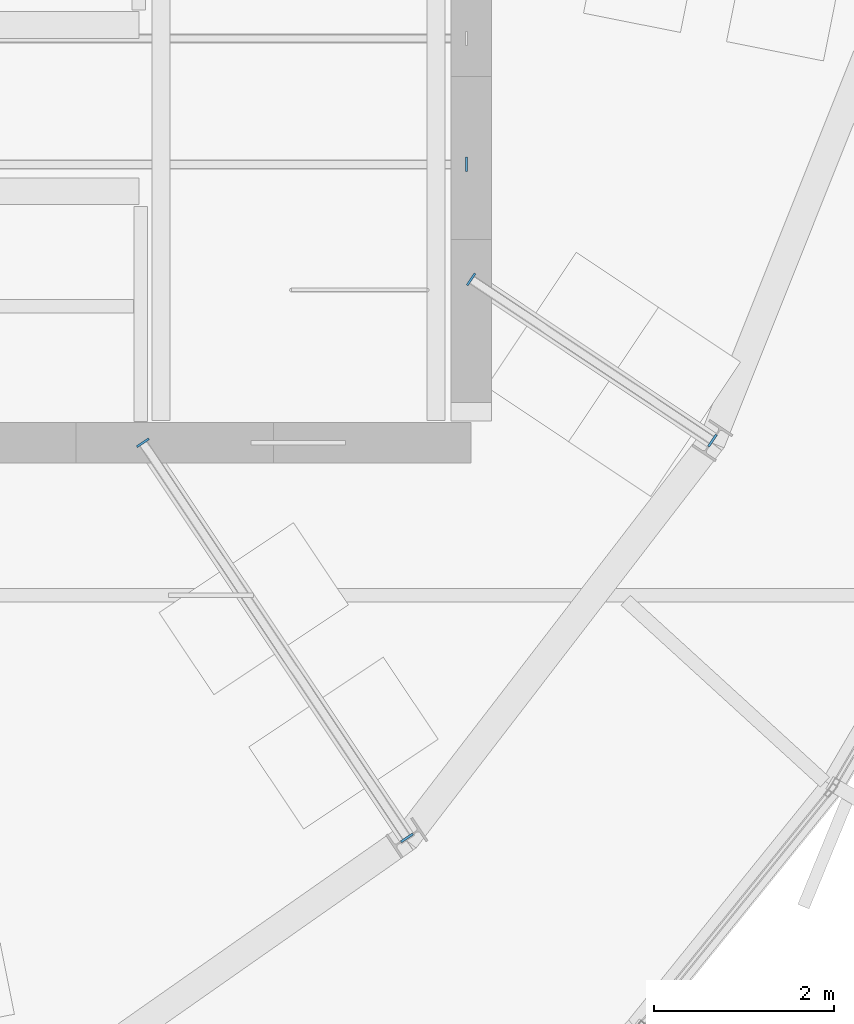
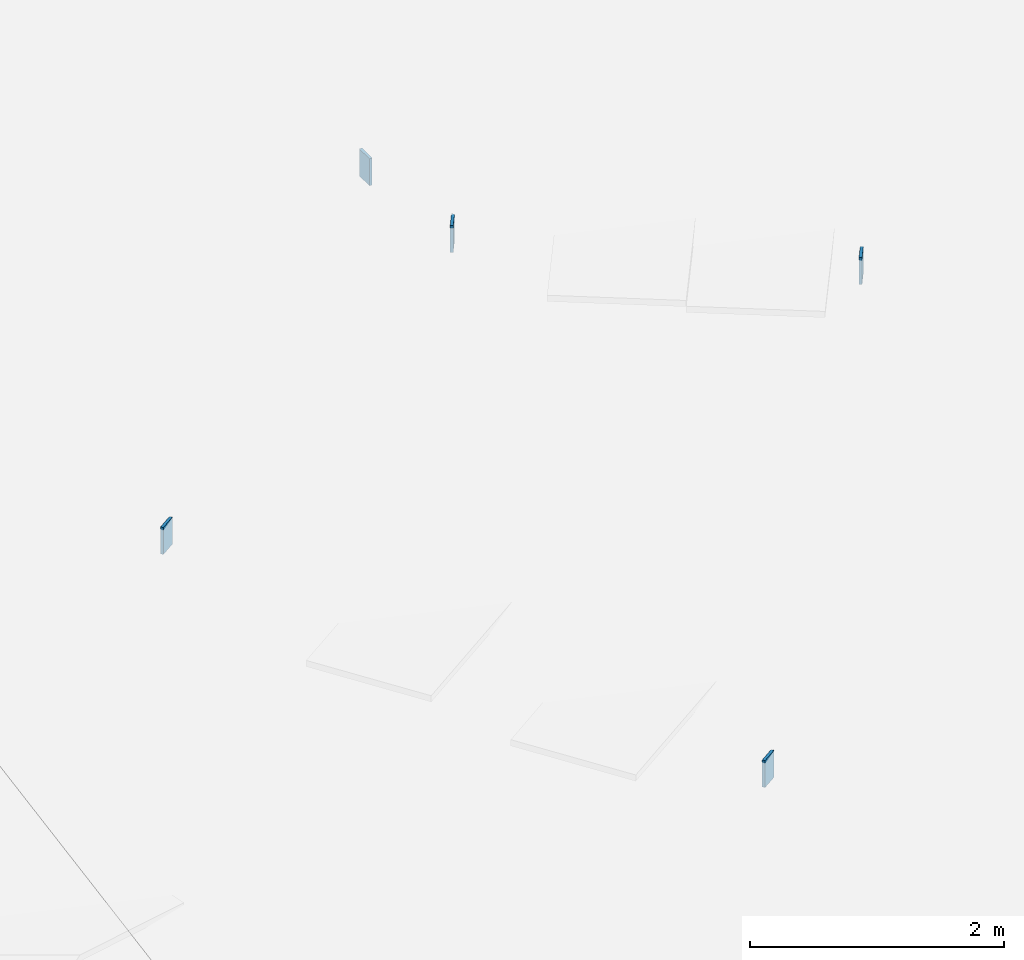
# One storey, part 27 of 36: 5 plates.
"""IFC4 building model written with IfcOpenShell, lengths in metres."""

from ifc_helpers import new_model, si_unit, direction, frame, origin, origin_2d, place, context, subcontext, project, spatial, rectangle, extrude, source, transform, mapped, material, layer, layer_set, type_object, element, save


model = new_model("IFC4")

# Units and contexts
model_context = context("Model", 3, precision=1e-05, world=origin(), true_north=direction((0.0, 1.0)))
body_context = subcontext(model_context, "Body", "Model", "MODEL_VIEW")
ifc_project = project(units=[si_unit("LENGTHUNIT", "METRE"), si_unit("AREAUNIT", "SQUARE_METRE"), si_unit("VOLUMEUNIT", "CUBIC_METRE"), si_unit("PLANEANGLEUNIT", "RADIAN"), si_unit("MASSUNIT", "GRAM", prefix="KILO"), si_unit("THERMODYNAMICTEMPERATUREUNIT", "KELVIN")], contexts=[model_context])

# Site, building, storey
site_placement = place(None, origin())
site = spatial("IfcSite", under=ifc_project, at=site_placement, CompositionType="ELEMENT")
building_placement = place(site_placement, origin())
building = spatial("IfcBuilding", under=site, at=building_placement, Name="Kethvar Cultural Tower", CompositionType="ELEMENT")
storey_placement = place(building_placement, frame((0.0, 0.0, 324.300048828125)))
storey = spatial("IfcBuildingStorey", under=building, at=storey_placement, Name="L86", CompositionType="ELEMENT", Elevation=324.300048828125)

# Plates
ifc_material = material(Name="Steel S355J2", Category="steel")
ifc_layer_1 = layer(ifc_material, 0.02490234375, Name="Steel S355J2", Category="steel")
ifc_layer_set_1 = layer_set([ifc_layer_1], Name="Steel S355J2 (25 mm)")
plate_type_1 = type_object("IfcPlateType", Name="PL-ENDCAP-PUR", PredefinedType="SHEET", material=ifc_layer_set_1)
shared_shape_1 = source(origin(), body_context, "Body", "SweptSolid", [
    extrude(rectangle(XDim=0.02490234375, YDim=0.159912109375, at=origin_2d()), origin(), (0.0, 0.0, 1.0), 0.260009765625),
])
plate_placement = place(storey_placement, frame((55.550048828125, 23.199951171875, 7.146484375), z_axis=(0.0, 0.0, 1.0), x_axis=(1.0, 0.0, 0.0)))
element("IfcPlate", 1, at=plate_placement, inside=storey, type_object=plate_type_1, Name="Crown Purlin End Cap PR-07-E", PredefinedType="SHEET", context=body_context, shape_type="MappedRepresentation", body=[
    mapped(shared_shape_1, transform((0.0, 0.0, 0.0), scale=1.0)),
])
ifc_layer_2 = layer(ifc_material, 0.02490234375, Name="Steel S355J2", Category="steel")
ifc_layer_set_2 = layer_set([ifc_layer_2], Name="Steel S355J2 (25 mm)")
plate_type_2 = type_object("IfcPlateType", Name="PL-EXTCAP-PUR", PredefinedType="SHEET", material=ifc_layer_set_2)
shared_shape_2 = source(origin(), body_context, "Body", "SweptSolid", [
    extrude(rectangle(XDim=0.02490234375, YDim=0.159912109375, at=origin_2d()), origin(), (0.0, 0.0, 1.0), 0.260009765625),
])
for number, where, z_axis, x_axis, name in (
    (2, (51.945068359375, 20.10009765625, 6.7392578125), (0.0, 0.0, 1.0), (0.55557023302, -0.831469612303, 0.0), "Crown Glazing Bar End Cap GB-14-I"),
    (3, (54.885009765625, 15.7001953125, 6.13330078125), (0.0, 0.0, 1.0), (0.55557023302, -0.831469612303, 0.0), "Crown Glazing Bar End Cap GB-14-O"),
    (4, (55.60009765625, 21.919921875, 7.2685546875), (0.0, 0.0, 1.0), (0.831469612303, -0.55557023302, 0.0), "Crown Glazing Bar End Cap GB-15-I"),
    (5, (58.287109375, 20.12451171875, 7.10595703125), (0.0, 0.0, 1.0), (0.831469612303, -0.55557023302, 0.0), "Crown Glazing Bar End Cap GB-15-O"),
):
    element("IfcPlate", number, at=place(storey_placement, frame(where, z_axis=z_axis, x_axis=x_axis)), inside=storey, type_object=plate_type_2, Name=name, PredefinedType="SHEET", context=body_context, shape_type="MappedRepresentation", body=[
        mapped(shared_shape_2, transform((0.0, 0.0, 0.0), scale=1.0)),
    ])

save(model, "model.ifc")
